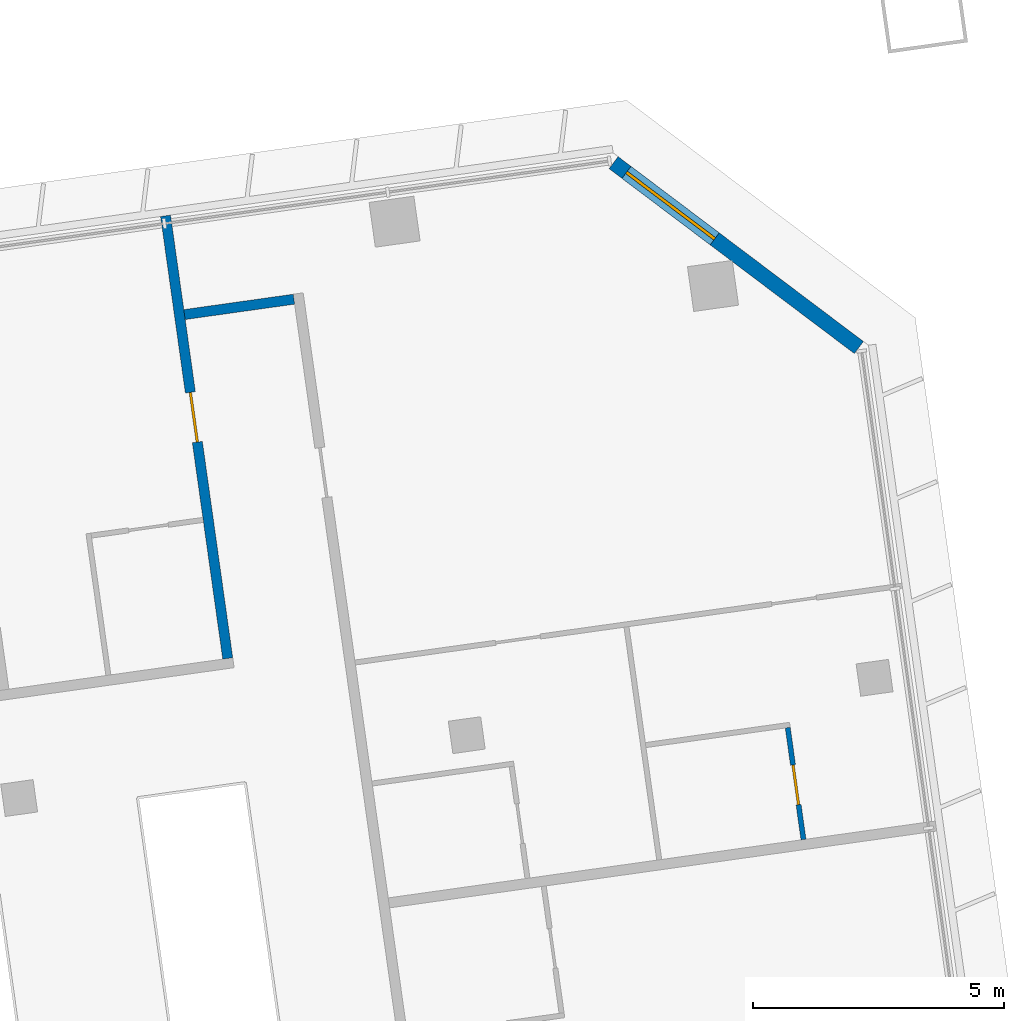
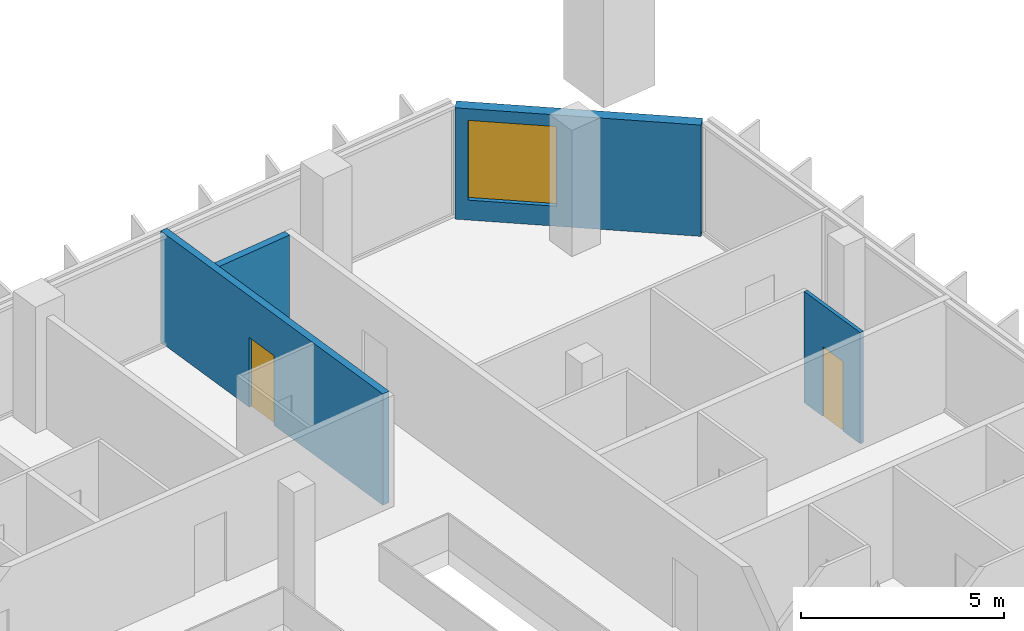
# One storey, part 22 of 26: 4 walls, 2 doors, 1 window, 3 openings.
"""IFC4 building model written with IfcOpenShell, lengths in metres."""

from ifc_helpers import new_model, si_unit, direction, frame, frame_2d, origin, place, context, subcontext, project, spatial, rectangle, extrude, material, layer, layer_set, type_object, element, fill, save


model = new_model("IFC4")

# Units and contexts
model_context = context("Model", 3, precision=1e-05, world=origin(), true_north=direction((0.0, 1.0)))
body_context = subcontext(model_context, "Body", "Model", "MODEL_VIEW")
ifc_project = project(units=[si_unit("LENGTHUNIT", "METRE"), si_unit("AREAUNIT", "SQUARE_METRE"), si_unit("VOLUMEUNIT", "CUBIC_METRE"), si_unit("PLANEANGLEUNIT", "RADIAN"), si_unit("MASSUNIT", "GRAM", prefix="KILO")], contexts=[model_context])

# Site, building, storey
site_placement = place(None, origin())
site = spatial("IfcSite", under=ifc_project, at=site_placement, CompositionType="ELEMENT")
building_placement = place(site_placement, origin())
building = spatial("IfcBuilding", under=site, at=building_placement, Name="Mirante Cascada Hotel Towers", CompositionType="ELEMENT")
storey_placement = place(building_placement, frame((0.0, 0.0, 113.9)))
storey = spatial("IfcBuildingStorey", under=building, at=storey_placement, Name="L25", CompositionType="ELEMENT", Elevation=113.9)

# Wall
ifc_material_1 = material(Name="Fire-rated plasterboard on metal studs")
ifc_layer_1 = layer(ifc_material_1, 0.2)
ifc_layer_set_1 = layer_set([ifc_layer_1], Name="Compartment wall 200 EI 120")
wall_type_1 = type_object("IfcWallType", Name="Compartment wall 200 EI 120", PredefinedType="PARTITIONING", material=ifc_layer_set_1)
wall_1_placement = place(storey_placement, frame((87.8424, 23.2963, 0.0), z_axis=(0.0, 0.0, 1.0), x_axis=(-0.990267, -0.139181, 0.0)))
element("IfcWall", 1, at=wall_1_placement, inside=storey, type_object=wall_type_1, Name="Wall 2-L25-25", PredefinedType="PARTITIONING", context=body_context, shape_type="SweptSolid", body=[
    extrude(rectangle(XDim=2.2, YDim=0.2, at=frame_2d((1.1, 0.0))), origin(), (0.0, 0.0, 1.0), 3.35),
])

# Wall, opening, door
wall_2_placement = place(storey_placement, frame((86.525, 16.1433, 0.0), z_axis=(0.0, 0.0, 1.0), x_axis=(-0.1391684, 0.9902687, 0.0)))
wall_2 = element("IfcWall", 2, at=wall_2_placement, inside=storey, type_object=wall_type_1, Name="Wall 2-L25-50", PredefinedType="PARTITIONING", context=body_context, shape_type="SweptSolid", body=[
    extrude(rectangle(XDim=8.9, YDim=0.2, at=frame_2d((4.45, 0.0))), origin(), (0.0, 0.0, 1.0), 3.35),
])
opening_1_placement = place(wall_2_placement, frame((4.35, 0.0, 0.0)))
opening_1 = element("IfcOpeningElement", 3, at=opening_1_placement, cuts=wall_2, Name="Opening D2-L25-29", PredefinedType="OPENING", context=body_context, shape_type="SweptSolid", body=[
    extrude(rectangle(XDim=1.0, YDim=2.1, at=frame_2d((0.5, 1.05))), frame((0.0, 0.1, 0.0), z_axis=(0.0, -1.0, 0.0), x_axis=(1.0, 0.0, 0.0)), (0.0, 0.0, 1.0), 0.2),
])
ifc_material_2 = material(Name="Fire-rated timber door leaf", Category="wood")
door_type_1 = type_object("IfcDoorType", Name="Entrance door DG1 1000x2100 EI 60", OperationType="SINGLE_SWING_LEFT", PredefinedType="DOOR", material=ifc_material_2)
door_1_placement = place(opening_1_placement, origin())
door_1 = element("IfcDoor", 4, at=door_1_placement, inside=storey, type_object=door_type_1, Name="Door D2-L25-29", OperationType="SINGLE_SWING_LEFT", OverallHeight=2.1, OverallWidth=1.0, PredefinedType="DOOR", context=body_context, shape_type="SweptSolid", body=[
    extrude(rectangle(XDim=1.0, YDim=2.1, at=frame_2d((0.5, 1.05))), frame((0.0, 0.025, 0.0), z_axis=(0.0, -1.0, 0.0), x_axis=(1.0, 0.0, 0.0)), (0.0, 0.0, 1.0), 0.05),
])
fill(opening_1, door_1)

ifc_material_3 = material(Name="Plasterboard on metal studs")
ifc_layer_2 = layer(ifc_material_3, 0.1)
ifc_layer_set_2 = layer_set([ifc_layer_2], Name="Partition 100")
wall_type_2 = type_object("IfcWallType", Name="Partition 100", PredefinedType="PARTITIONING", material=ifc_layer_set_2)
wall_3_placement = place(storey_placement, frame((97.9885, 12.5369, 0.0), z_axis=(0.0, 0.0, 1.0), x_axis=(-0.1391561, 0.9902705, 0.0)))
wall_3 = element("IfcWall", 5, at=wall_3_placement, inside=storey, type_object=wall_type_2, Name="Wall 2-L25-58", PredefinedType="PARTITIONING", context=body_context, shape_type="SweptSolid", body=[
    extrude(rectangle(XDim=2.25, YDim=0.1, at=frame_2d((1.125, 0.0))), origin(), (0.0, 0.0, 1.0), 3.35),
])
opening_2_placement = place(wall_3_placement, frame((0.7, 0.0, 0.0)))
opening_2 = element("IfcOpeningElement", 6, at=opening_2_placement, cuts=wall_3, Name="Opening D2-L25-38", PredefinedType="OPENING", context=body_context, shape_type="SweptSolid", body=[
    extrude(rectangle(XDim=0.8, YDim=2.1, at=frame_2d((0.4, 1.05))), frame((0.0, 0.05, 0.0), z_axis=(0.0, -1.0, 0.0), x_axis=(1.0, 0.0, 0.0)), (0.0, 0.0, 1.0), 0.1),
])
ifc_material_4 = material(Name="Timber door leaf", Category="wood")
door_type_2 = type_object("IfcDoorType", Name="Bathroom door DG4 800x2100", OperationType="SINGLE_SWING_LEFT", PredefinedType="DOOR", material=ifc_material_4)
door_2_placement = place(opening_2_placement, origin())
door_2 = element("IfcDoor", 7, at=door_2_placement, inside=storey, type_object=door_type_2, Name="Door D2-L25-38", OperationType="SINGLE_SWING_LEFT", OverallHeight=2.1, OverallWidth=0.8, PredefinedType="DOOR", context=body_context, shape_type="SweptSolid", body=[
    extrude(rectangle(XDim=0.8, YDim=2.1, at=frame_2d((0.4, 1.05))), frame((0.0, 0.025, 0.0), z_axis=(0.0, -1.0, 0.0), x_axis=(1.0, 0.0, 0.0)), (0.0, 0.0, 1.0), 0.05),
])
fill(opening_2, door_2)

# Wall, opening, window
ifc_material_5 = material(Name="Precast concrete C40/50", Category="concrete")
ifc_layer_3 = layer(ifc_material_5, 0.3)
ifc_layer_set_3 = layer_set([ifc_layer_3], Name="Precast concrete C40/50 cladding wall 300")
wall_type_3 = type_object("IfcWallType", Name="Precast concrete C40/50 cladding wall 300", PredefinedType="STANDARD", material=ifc_layer_set_3)
wall_4_placement = place(storey_placement, frame((99.0919, 22.3343, 0.0), z_axis=(0.0, 0.0, 1.0), x_axis=(-0.7986362, 0.6018141, 0.0)))
wall_4 = element("IfcWall", 8, at=wall_4_placement, inside=storey, type_object=wall_type_3, Name="Corner cladding wall T2 L25 outer front", PredefinedType="STANDARD", context=body_context, shape_type="SweptSolid", body=[
    extrude(rectangle(XDim=6.1157, YDim=0.3, at=frame_2d((3.0578, 0.0))), origin(), (0.0, 0.0, 1.0), 3.35),
])
opening_3_placement = place(wall_4_placement, frame((3.595, 0.0, 0.6)))
opening_3 = element("IfcOpeningElement", 9, at=opening_3_placement, cuts=wall_4, Name="Opening W2-25-04", PredefinedType="OPENING", context=body_context, shape_type="SweptSolid", body=[
    extrude(rectangle(XDim=2.2, YDim=2.4, at=frame_2d((1.1, 1.2))), frame((0.0, 0.15, 0.0), z_axis=(0.0, -1.0, 0.0), x_axis=(1.0, 0.0, 0.0)), (0.0, 0.0, 1.0), 0.3),
])
ifc_material_6 = material(Name="Aluminium frame with clear double glazing", Category="aluminium")
window_type = type_object("IfcWindowType", Name="Corner suite window 2200x2400", PartitioningType="DOUBLE_PANEL_VERTICAL", PredefinedType="WINDOW", material=ifc_material_6)
window_placement = place(opening_3_placement, origin())
window = element("IfcWindow", 10, at=window_placement, inside=storey, type_object=window_type, Name="Window W2-25-04", OverallHeight=2.4, OverallWidth=2.2, PartitioningType="SINGLE_PANEL", PredefinedType="WINDOW", context=body_context, shape_type="SweptSolid", body=[
    extrude(rectangle(XDim=2.2, YDim=2.4, at=frame_2d((1.1, 1.2))), frame((0.0, 0.03, 0.0), z_axis=(0.0, -1.0, 0.0), x_axis=(1.0, 0.0, 0.0)), (0.0, 0.0, 1.0), 0.06),
])
fill(opening_3, window)

save(model, "model.ifc")
